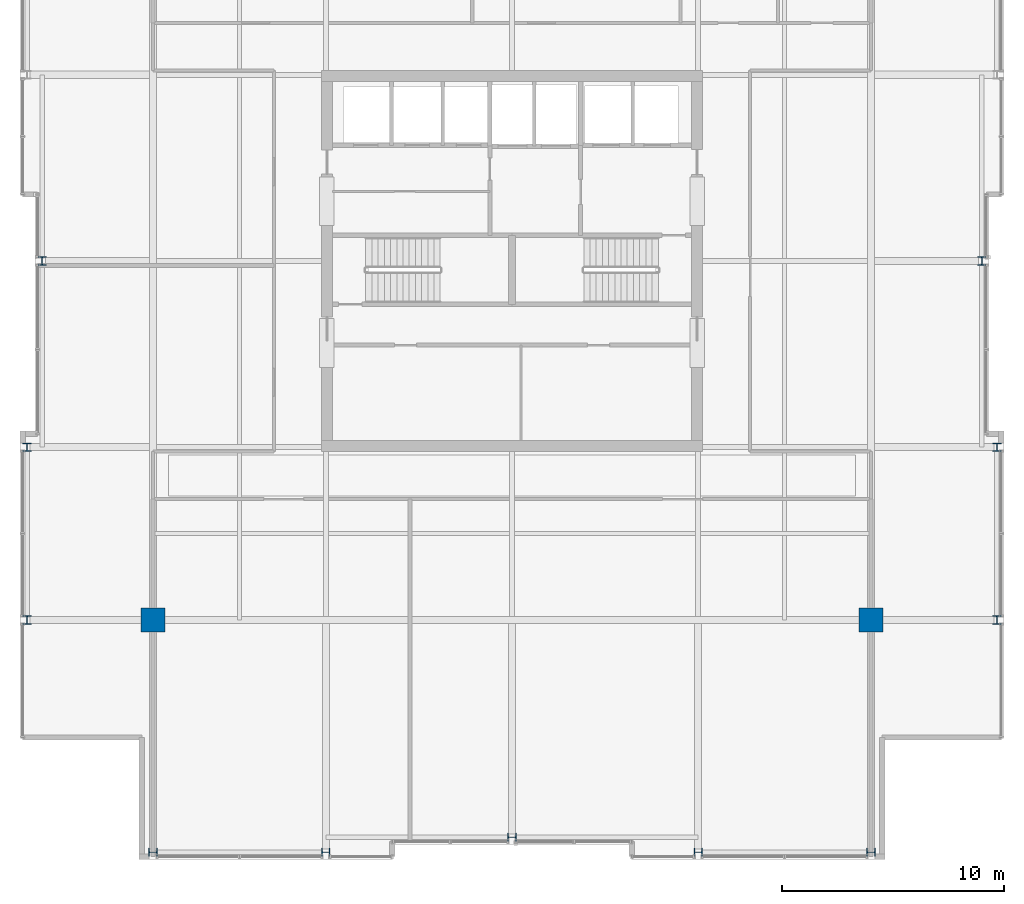
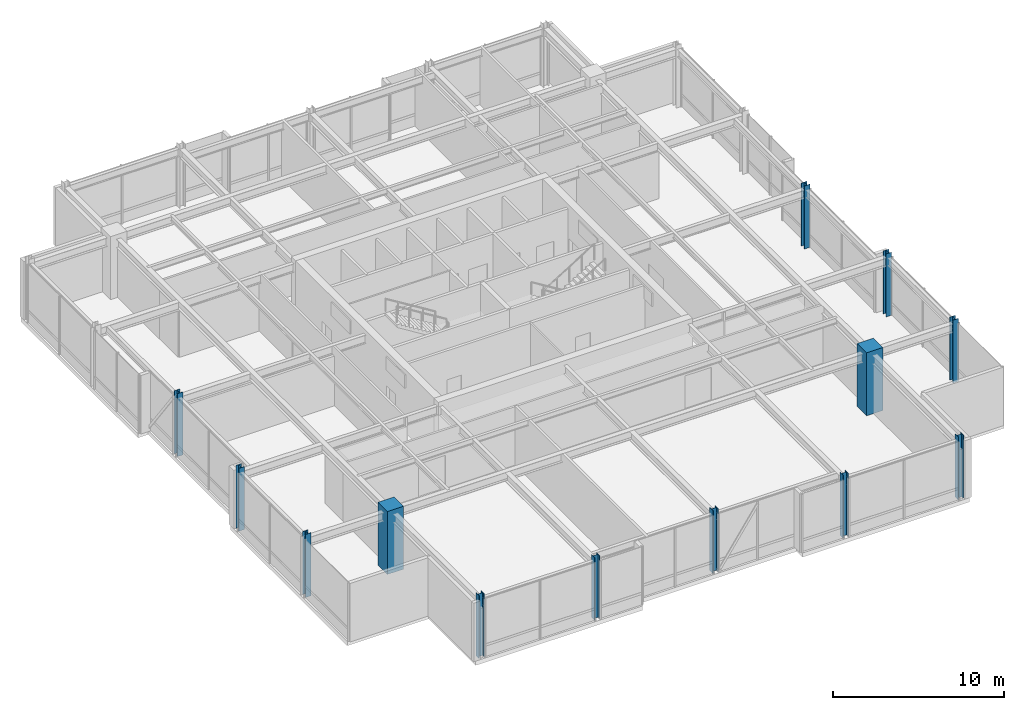
# One storey, part 1 of 32: 13 columns.
"""IFC4 building model written with IfcOpenShell, lengths in metres."""

from ifc_helpers import new_model, si_unit, direction, frame, origin, origin_2d, place, context, subcontext, project, spatial, rectangle, i_section, extrude, material, material_profile, profile_set, type_object, element, save


model = new_model("IFC4")

# Units and contexts
model_context = context("Model", 3, precision=1e-05, world=origin(), true_north=direction((0.0, 1.0)))
body_context = subcontext(model_context, "Body", "Model", "MODEL_VIEW")
ifc_project = project(units=[si_unit("LENGTHUNIT", "METRE"), si_unit("AREAUNIT", "SQUARE_METRE"), si_unit("VOLUMEUNIT", "CUBIC_METRE"), si_unit("PLANEANGLEUNIT", "RADIAN"), si_unit("MASSUNIT", "GRAM", prefix="KILO")], contexts=[model_context])

# Site, building, storey
site_placement = place(None, origin())
site = spatial("IfcSite", under=ifc_project, at=site_placement, CompositionType="ELEMENT")
building_placement = place(site_placement, origin())
building = spatial("IfcBuilding", under=site, at=building_placement, Name="Drelvath Grand Hotel", CompositionType="ELEMENT")
storey_placement = place(building_placement, frame((0.0, 0.0, 255.5)))
storey = spatial("IfcBuildingStorey", under=building, at=storey_placement, Name="L67", CompositionType="ELEMENT", Elevation=255.5)

# Columns
ifc_material_1 = material(Name="Concrete f'c 55 MPa", Category="concrete")
ifc_material_profile_1 = material_profile(ifc_material_1, rectangle(XDim=1.10009765625, YDim=1.10009765625, at=origin_2d()), Name="MC1100X1100")
ifc_profile_set_1 = profile_set([ifc_material_profile_1], Name="Concrete f'c 55 MPa")
column_type_1 = type_object("IfcColumnType", Name="Composite Mega Column MC1100X1100", PredefinedType="COLUMN", material=ifc_profile_set_1)
for number, where, z_axis, x_axis, name in (
    (1, (-16.199951171875, 10.800048828125, 0.0), (0.0, 0.0, 1.0), (1.0, 0.0, 0.0), "L67 Composite Mega Column MC-SW"),
    (2, (16.199951171875, 10.800048828125, 0.0), (0.0, 0.0, 1.0), (1.0, 0.0, 0.0), "L67 Composite Mega Column MC-SE"),
):
    element("IfcColumn", number, at=place(storey_placement, frame(where, z_axis=z_axis, x_axis=x_axis)), inside=storey, type_object=column_type_1, Name=name, PredefinedType="COLUMN", context=body_context, shape_type="SweptSolid", body=[
        extrude(rectangle(XDim=1.10009765625, YDim=1.10009765625, at=origin_2d()), origin(), (0.0, 0.0, 1.0), 4.5),
    ])
ifc_material_2 = material(Name="Steel ASTM A913 Gr 65", Category="steel")
ifc_material_profile_2 = material_profile(ifc_material_2, i_section(OverallWidth=0.3740234375, OverallDepth=0.372314453125, WebThickness=0.016357421875, FlangeThickness=0.026123046875, FilletRadius=0.02490234375, at=origin_2d()), Name="W14X132")
ifc_profile_set_2 = profile_set([ifc_material_profile_2], Name="Steel ASTM A913 Gr 65")
column_type_2 = type_object("IfcColumnType", Name="Perimeter Steel Column W14X132", PredefinedType="COLUMN", material=ifc_profile_set_2)
for number, where, z_axis, x_axis, name in (
    (3, (-21.8798828125, 10.800048828125, 0.0), (0.0, 0.0, 1.0), (1.0, 0.0, 0.0), "L67 Structural Column TCW-C"),
    (4, (21.8798828125, 10.800048828125, 0.0), (0.0, 0.0, 1.0), (1.0, 0.0, 0.0), "L67 Structural Column TCE-C"),
    (5, (-21.8798828125, 18.60009765625, 0.0), (0.0, 0.0, 1.0), (1.0, 0.0, 0.0), "L67 Structural Column TCW-D"),
    (6, (21.8798828125, 18.60009765625, 0.0), (0.0, 0.0, 1.0), (1.0, 0.0, 0.0), "L67 Structural Column TCE-D"),
    (7, (-21.199951171875, 27.0, 0.0), (0.0, 0.0, 1.0), (1.0, 0.0, 0.0), "L67 Structural Column TCW-E"),
    (8, (21.199951171875, 27.0, 0.0), (0.0, 0.0, 1.0), (1.0, 0.0, 0.0), "L67 Structural Column TCE-E"),
    (9, (-16.199951171875, 0.320068359375, 0.0), (0.0, 0.0, 1.0), (0.0, 1.0, 0.0), "L67 Structural Column TCS-3"),
    (10, (-8.39990234375, 0.320068359375, 0.0), (0.0, 0.0, 1.0), (0.0, 1.0, 0.0), "L67 Structural Column TCS-4"),
    (11, (0.0, 1.0, 0.0), (0.0, 0.0, 1.0), (0.0, 1.0, 0.0), "L67 Structural Column TCS-5"),
    (12, (8.39990234375, 0.320068359375, 0.0), (0.0, 0.0, 1.0), (0.0, 1.0, 0.0), "L67 Structural Column TCS-6"),
    (13, (16.199951171875, 0.320068359375, 0.0), (0.0, 0.0, 1.0), (0.0, 1.0, 0.0), "L67 Structural Column TCS-7"),
):
    element("IfcColumn", number, at=place(storey_placement, frame(where, z_axis=z_axis, x_axis=x_axis)), inside=storey, type_object=column_type_2, Name=name, PredefinedType="COLUMN", context=body_context, shape_type="SweptSolid", body=[
        extrude(i_section(OverallWidth=0.3740234375, OverallDepth=0.372314453125, WebThickness=0.016357421875, FlangeThickness=0.026123046875, FilletRadius=0.02490234375, at=origin_2d()), origin(), (0.0, 0.0, 1.0), 4.4970703125),
    ])

save(model, "model.ifc")
